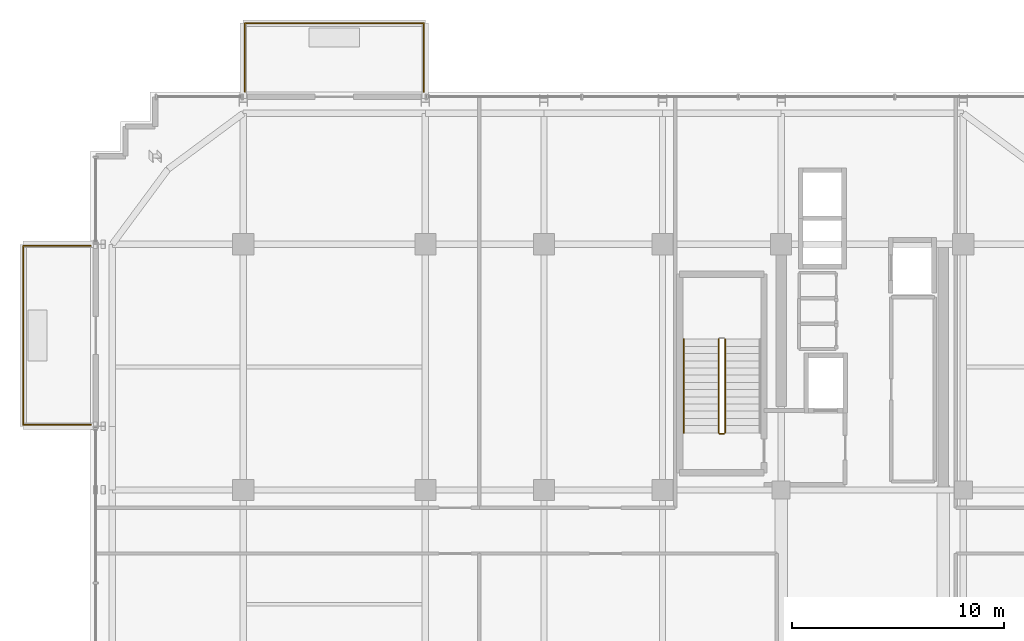
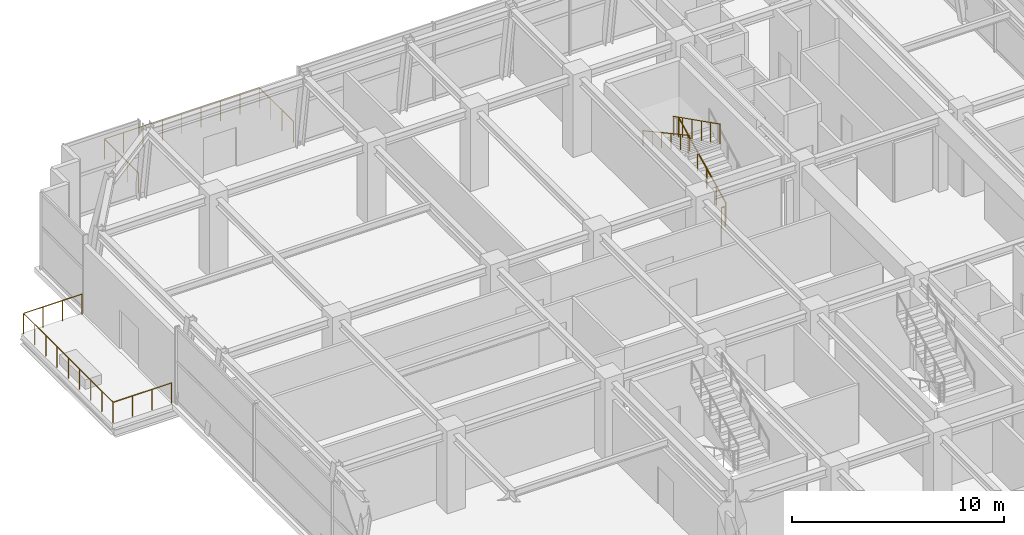
# One storey, part 26 of 28: 6 railings.
"""IFC4 building model written with IfcOpenShell, lengths in metres."""

from ifc_helpers import new_model, si_unit, direction, frame, origin, origin_2d, place, context, subcontext, project, spatial, circle, extrude, material, type_object, element, save


model = new_model("IFC4")

# Units and contexts
model_context = context("Model", 3, precision=1e-05, world=origin(), true_north=direction((0.0, 1.0)))
body_context = subcontext(model_context, "Body", "Model", "MODEL_VIEW")
ifc_project = project(units=[si_unit("LENGTHUNIT", "METRE"), si_unit("AREAUNIT", "SQUARE_METRE"), si_unit("VOLUMEUNIT", "CUBIC_METRE"), si_unit("PLANEANGLEUNIT", "RADIAN"), si_unit("MASSUNIT", "GRAM", prefix="KILO")], contexts=[model_context])

# Site, building, storey
site_placement = place(None, origin())
site = spatial("IfcSite", under=ifc_project, at=site_placement, CompositionType="ELEMENT")
building_placement = place(site_placement, origin())
building = spatial("IfcBuilding", under=site, at=building_placement, Name="Nahalor Promenade Grand Hotel", CompositionType="ELEMENT")
storey_placement = place(building_placement, frame((0.0, 0.0, 256.699951171875)))
storey = spatial("IfcBuildingStorey", under=building, at=storey_placement, Name="L66", CompositionType="ELEMENT", Elevation=256.699951171875)

# Railings
ifc_material_1 = material(Name="Anodised Bronze Aluminium EN AW-6063 T6", Category="aluminium")
railing_type_1 = type_object("IfcRailingType", Name="Bronze Balcony Guardrail 1200 mm", PredefinedType="GUARDRAIL", material=ifc_material_1)
railing_1_placement = place(storey_placement, frame((-16.919921875, 24.199951171875, 0.0)))
element("IfcRailing", 1, at=railing_1_placement, inside=storey, type_object=railing_type_1, Name="L66 Balcony Guardrail 1", PredefinedType="GUARDRAIL", context=body_context, shape_type="SweptSolid", body=[
    extrude(circle(Radius=0.024048, at=origin_2d()), frame((0.0, 0.0, 1.17578125), z_axis=(0.0, 1.0, 0.0), x_axis=(-1.0, 0.0, 0.0)), (0.0, 0.0, 1.0), 3.238037109375),
    extrude(circle(Radius=0.024048, at=origin_2d()), frame((0.001953125, 3.239990234375, 1.17578125), z_axis=(1.0, 0.0, 0.0), x_axis=(0.0, 1.0, 0.0)), (0.0, 0.0, 1.0), 8.43603515625),
    extrude(circle(Radius=0.024048, at=origin_2d()), frame((8.43994140625, 3.238037109375, 1.17578125), z_axis=(0.0, -1.0, 0.0), x_axis=(1.0, 0.0, 0.0)), (0.0, 0.0, 1.0), 3.238037109375),
    extrude(circle(Radius=0.020996, at=origin_2d()), origin(), (0.0, 0.0, 1.0), 1.14990234375),
    extrude(circle(Radius=0.020996, at=origin_2d()), frame((0.0, 1.080078125, 0.0)), (0.0, 0.0, 1.0), 1.14990234375),
    extrude(circle(Radius=0.020996, at=origin_2d()), frame((0.0, 2.159912109375, 0.0)), (0.0, 0.0, 1.0), 1.14990234375),
    extrude(circle(Radius=0.020996, at=origin_2d()), frame((0.0, 3.239990234375, 0.0)), (0.0, 0.0, 1.0), 1.14990234375),
    extrude(circle(Radius=0.020996, at=origin_2d()), frame((1.054931640625, 3.239990234375, 0.0)), (0.0, 0.0, 1.0), 1.14990234375),
    extrude(circle(Radius=0.020996, at=origin_2d()), frame((2.10986328125, 3.239990234375, 0.0)), (0.0, 0.0, 1.0), 1.14990234375),
    extrude(circle(Radius=0.020996, at=origin_2d()), frame((3.1650390625, 3.239990234375, 0.0)), (0.0, 0.0, 1.0), 1.14990234375),
    extrude(circle(Radius=0.020996, at=origin_2d()), frame((4.219970703125, 3.239990234375, 0.0)), (0.0, 0.0, 1.0), 1.14990234375),
    extrude(circle(Radius=0.020996, at=origin_2d()), frame((5.27490234375, 3.239990234375, 0.0)), (0.0, 0.0, 1.0), 1.14990234375),
    extrude(circle(Radius=0.020996, at=origin_2d()), frame((6.330078125, 3.239990234375, 0.0)), (0.0, 0.0, 1.0), 1.14990234375),
    extrude(circle(Radius=0.020996, at=origin_2d()), frame((7.385009765625, 3.239990234375, 0.0)), (0.0, 0.0, 1.0), 1.14990234375),
    extrude(circle(Radius=0.020996, at=origin_2d()), frame((8.43994140625, 3.239990234375, 0.0)), (0.0, 0.0, 1.0), 1.14990234375),
    extrude(circle(Radius=0.020996, at=origin_2d()), frame((8.43994140625, 2.159912109375, 0.0)), (0.0, 0.0, 1.0), 1.14990234375),
    extrude(circle(Radius=0.020996, at=origin_2d()), frame((8.43994140625, 1.080078125, 0.0)), (0.0, 0.0, 1.0), 1.14990234375),
    extrude(circle(Radius=0.020996, at=origin_2d()), frame((8.43994140625, 0.0, 0.0)), (0.0, 0.0, 1.0), 1.14990234375),
])
railing_2_placement = place(storey_placement, frame((-24.199951171875, 8.47998046875, 0.0)))
element("IfcRailing", 2, at=railing_2_placement, inside=storey, type_object=railing_type_1, Name="L66 Balcony Guardrail 2", PredefinedType="GUARDRAIL", context=body_context, shape_type="SweptSolid", body=[
    extrude(circle(Radius=0.024048, at=origin_2d()), frame((0.0, 0.0, 1.17578125), z_axis=(-1.0, 0.0, 0.0), x_axis=(0.0, -1.0, 0.0)), (0.0, 0.0, 1.0), 3.18798828125),
    extrude(circle(Radius=0.024048, at=origin_2d()), frame((-3.18994140625, 0.001953125, 1.17578125), z_axis=(0.0, 1.0, 0.0), x_axis=(-1.0, 0.0, 0.0)), (0.0, 0.0, 1.0), 8.43603515625),
    extrude(circle(Radius=0.024048, at=origin_2d()), frame((-3.18798828125, 8.43994140625, 1.17578125), z_axis=(1.0, 0.0, 0.0), x_axis=(0.0, 1.0, 0.0)), (0.0, 0.0, 1.0), 3.18798828125),
    extrude(circle(Radius=0.020996, at=origin_2d()), origin(), (0.0, 0.0, 1.0), 1.14990234375),
    extrude(circle(Radius=0.020996, at=origin_2d()), frame((-1.063232421875, 0.0, 0.0)), (0.0, 0.0, 1.0), 1.14990234375),
    extrude(circle(Radius=0.020996, at=origin_2d()), frame((-2.126708984375, 0.0, 0.0)), (0.0, 0.0, 1.0), 1.14990234375),
    extrude(circle(Radius=0.020996, at=origin_2d()), frame((-3.18994140625, 0.0, 0.0)), (0.0, 0.0, 1.0), 1.14990234375),
    extrude(circle(Radius=0.020996, at=origin_2d()), frame((-3.18994140625, 1.054931640625, 0.0)), (0.0, 0.0, 1.0), 1.14990234375),
    extrude(circle(Radius=0.020996, at=origin_2d()), frame((-3.18994140625, 2.10986328125, 0.0)), (0.0, 0.0, 1.0), 1.14990234375),
    extrude(circle(Radius=0.020996, at=origin_2d()), frame((-3.18994140625, 3.1650390625, 0.0)), (0.0, 0.0, 1.0), 1.14990234375),
    extrude(circle(Radius=0.020996, at=origin_2d()), frame((-3.18994140625, 4.219970703125, 0.0)), (0.0, 0.0, 1.0), 1.14990234375),
    extrude(circle(Radius=0.020996, at=origin_2d()), frame((-3.18994140625, 5.27490234375, 0.0)), (0.0, 0.0, 1.0), 1.14990234375),
    extrude(circle(Radius=0.020996, at=origin_2d()), frame((-3.18994140625, 6.330078125, 0.0)), (0.0, 0.0, 1.0), 1.14990234375),
    extrude(circle(Radius=0.020996, at=origin_2d()), frame((-3.18994140625, 7.385009765625, 0.0)), (0.0, 0.0, 1.0), 1.14990234375),
    extrude(circle(Radius=0.020996, at=origin_2d()), frame((-3.18994140625, 8.43994140625, 0.0)), (0.0, 0.0, 1.0), 1.14990234375),
    extrude(circle(Radius=0.020996, at=origin_2d()), frame((-2.126708984375, 8.43994140625, 0.0)), (0.0, 0.0, 1.0), 1.14990234375),
    extrude(circle(Radius=0.020996, at=origin_2d()), frame((-1.063232421875, 8.43994140625, 0.0)), (0.0, 0.0, 1.0), 1.14990234375),
    extrude(circle(Radius=0.020996, at=origin_2d()), frame((0.0, 8.43994140625, 0.0)), (0.0, 0.0, 1.0), 1.14990234375),
])
ifc_material_2 = material(Name="Steel S355JR", Category="steel")
railing_type_2 = type_object("IfcRailingType", Name="Steel Stair Guardrail 1150 mm", PredefinedType="GUARDRAIL", material=ifc_material_2)
railing_3_placement = place(storey_placement, frame((5.75, 8.10009765625, 0.17138671875)))
element("IfcRailing", 3, at=railing_3_placement, inside=storey, type_object=railing_type_2, Name="L66 ST1 stair guard 1", PredefinedType="GUARDRAIL", context=body_context, shape_type="SweptSolid", body=[
    extrude(circle(Radius=0.024048, at=origin_2d()), frame((0.0, 0.0, 1.1259765625), z_axis=(0.0, 0.892902951771, 0.450249174034), x_axis=(-1.0, 0.0, 0.0)), (0.0, 0.0, 1.0), 4.949951171875),
    extrude(circle(Radius=0.020996, at=origin_2d()), origin(), (0.0, 0.0, 1.0), 1.099853515625),
    extrude(circle(Radius=0.020996, at=origin_2d()), frame((0.0, 0.884033203125, 0.44580078125)), (0.0, 0.0, 1.0), 1.099853515625),
    extrude(circle(Radius=0.020996, at=origin_2d()), frame((0.0, 1.76806640625, 0.8916015625)), (0.0, 0.0, 1.0), 1.099853515625),
    extrude(circle(Radius=0.020996, at=origin_2d()), frame((0.0, 2.65185546875, 1.337158203125)), (0.0, 0.0, 1.0), 1.099853515625),
    extrude(circle(Radius=0.020996, at=origin_2d()), frame((0.0, 3.535888671875, 1.782958984375)), (0.0, 0.0, 1.0), 1.099853515625),
    extrude(circle(Radius=0.020996, at=origin_2d()), frame((0.0, 4.419921875, 2.228759765625)), (0.0, 0.0, 1.0), 1.099853515625),
])
railing_4_placement = place(storey_placement, frame((5.449951171875, 12.52001953125, 2.571533203125)))
element("IfcRailing", 4, at=railing_4_placement, inside=storey, type_object=railing_type_2, Name="L66 ST1 stair guard 3", PredefinedType="GUARDRAIL", context=body_context, shape_type="SweptSolid", body=[
    extrude(circle(Radius=0.024048, at=origin_2d()), frame((0.0, 0.0, 1.1259765625), z_axis=(0.0, -0.89292277971, 0.450209850486), x_axis=(1.0, 0.0, 0.0)), (0.0, 0.0, 1.0), 4.949951171875),
    extrude(circle(Radius=0.020996, at=origin_2d()), origin(), (0.0, 0.0, 1.0), 1.099853515625),
    extrude(circle(Radius=0.020996, at=origin_2d()), frame((0.0, -0.884033203125, 0.44580078125)), (0.0, 0.0, 1.0), 1.099853515625),
    extrude(circle(Radius=0.020996, at=origin_2d()), frame((0.0, -1.76806640625, 0.891357421875)), (0.0, 0.0, 1.0), 1.099853515625),
    extrude(circle(Radius=0.020996, at=origin_2d()), frame((0.0, -2.65185546875, 1.337158203125)), (0.0, 0.0, 1.0), 1.099853515625),
    extrude(circle(Radius=0.020996, at=origin_2d()), frame((0.0, -3.535888671875, 1.78271484375)), (0.0, 0.0, 1.0), 1.099853515625),
    extrude(circle(Radius=0.020996, at=origin_2d()), frame((0.0, -4.419921875, 2.228515625)), (0.0, 0.0, 1.0), 1.099853515625),
])
railing_5_placement = place(storey_placement, frame((5.699951171875, 8.050048828125, 0.0)))
element("IfcRailing", 5, at=railing_5_placement, inside=storey, type_object=railing_type_2, Name="L66 ST1 stair guard 4", PredefinedType="GUARDRAIL", context=body_context, shape_type="SweptSolid", body=[
    extrude(circle(Radius=0.024048, at=origin_2d()), frame((0.0, 0.0, 1.1259765625), z_axis=(-1.0, 0.0, 0.0), x_axis=(0.0, -1.0, 0.0)), (0.0, 0.0, 1.0), 0.199951171875),
    extrude(circle(Radius=0.020996, at=origin_2d()), origin(), (0.0, 0.0, 1.0), 1.099853515625),
    extrude(circle(Radius=0.020996, at=origin_2d()), frame((-0.199951171875, 0.0, 0.0)), (0.0, 0.0, 1.0), 1.099853515625),
])
railing_type_3 = type_object("IfcRailingType", Name="Steel Stair Handrail 900 mm", PredefinedType="HANDRAIL", material=ifc_material_2)
railing_6_placement = place(storey_placement, frame((3.800048828125, 12.52001953125, 2.571533203125)))
element("IfcRailing", 6, at=railing_6_placement, inside=storey, type_object=railing_type_3, Name="L66 ST1 stair handrail 2", PredefinedType="HANDRAIL", context=body_context, shape_type="SweptSolid", body=[
    extrude(circle(Radius=0.024048, at=origin_2d()), frame((0.0, 0.0, 0.8759765625), z_axis=(0.0, -0.878810394976, 0.477171132491), x_axis=(1.0, 0.0, 0.0)), (0.0, 0.0, 1.0), 5.029541015625),
    extrude(circle(Radius=0.020996, at=origin_2d()), origin(), (0.0, 0.0, 1.0), 0.849853515625),
    extrude(circle(Radius=0.020996, at=origin_2d()), frame((0.0, -0.884033203125, 0.47998046875)), (0.0, 0.0, 1.0), 0.849853515625),
    extrude(circle(Radius=0.020996, at=origin_2d()), frame((0.0, -1.76806640625, 0.9599609375)), (0.0, 0.0, 1.0), 0.849853515625),
    extrude(circle(Radius=0.020996, at=origin_2d()), frame((0.0, -2.65185546875, 1.43994140625)), (0.0, 0.0, 1.0), 0.849853515625),
    extrude(circle(Radius=0.020996, at=origin_2d()), frame((0.0, -3.535888671875, 1.919921875)), (0.0, 0.0, 1.0), 0.849853515625),
    extrude(circle(Radius=0.020996, at=origin_2d()), frame((0.0, -4.419921875, 2.39990234375)), (0.0, 0.0, 1.0), 0.849853515625),
])

save(model, "model.ifc")
